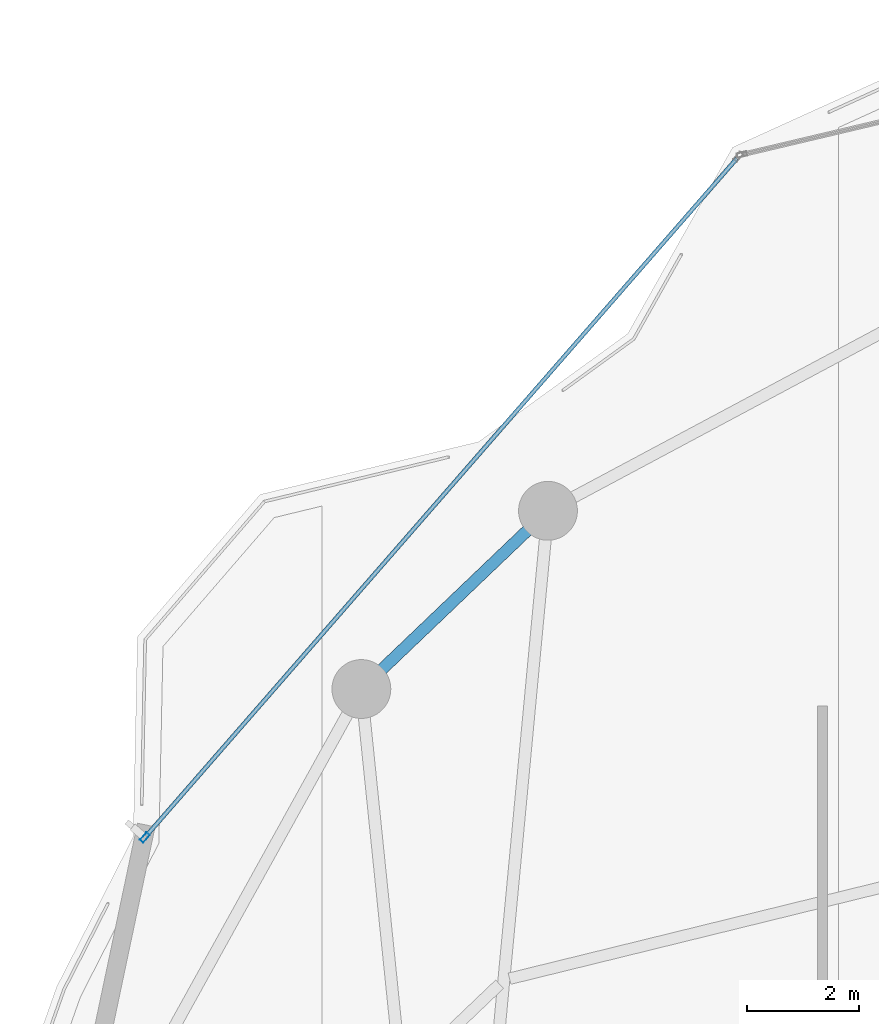
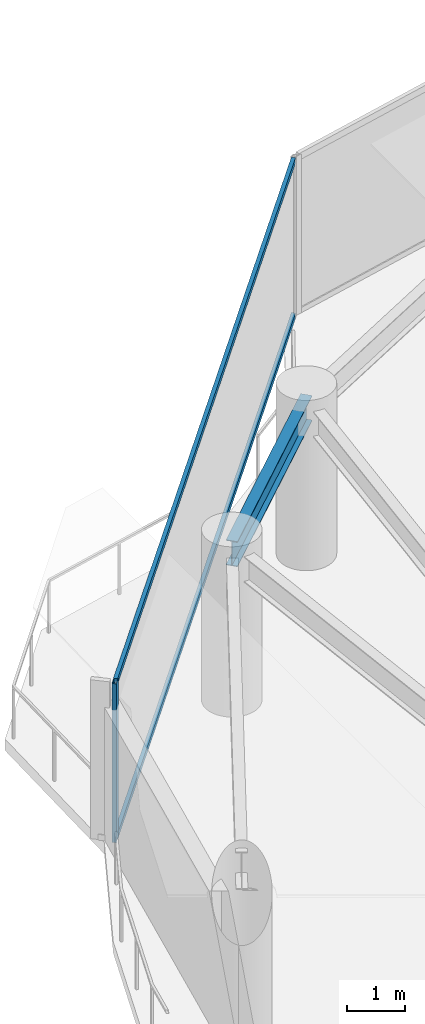
# One storey, part 16 of 28: 3 members, 1 beam, 1 element without a shape of its own.
"""IFC4 building model written with IfcOpenShell, lengths in metres."""

from ifc_helpers import new_model, si_unit, direction, frame, origin, origin_2d, place, context, subcontext, project, spatial, hollow_rectangle, i_section, extrude, material, layer, layer_set, material_profile, profile_set, type_object, element, aggregate, save


model = new_model("IFC4")

# Units and contexts
model_context = context("Model", 3, precision=1e-05, world=origin(), true_north=direction((0.0, 1.0)))
body_context = subcontext(model_context, "Body", "Model", "MODEL_VIEW")
ifc_project = project(units=[si_unit("LENGTHUNIT", "METRE"), si_unit("AREAUNIT", "SQUARE_METRE"), si_unit("VOLUMEUNIT", "CUBIC_METRE"), si_unit("PLANEANGLEUNIT", "RADIAN"), si_unit("MASSUNIT", "GRAM", prefix="KILO")], contexts=[model_context])

# Site, building, storey
site_placement = place(None, origin())
site = spatial("IfcSite", under=ifc_project, at=site_placement, CompositionType="ELEMENT")
building_placement = place(site_placement, origin())
building = spatial("IfcBuilding", under=site, at=building_placement, Name="Kazevale Care Tower and Concert Hall", CompositionType="ELEMENT")
storey_placement = place(building_placement, frame((0.0, 0.0, 228.0)))
storey = spatial("IfcBuildingStorey", under=building, at=storey_placement, Name="L60", CompositionType="ELEMENT", Elevation=228.0)

# Curtain wall, members
ifc_material_1 = material(Name="Aluminium 6063-T6 and Low-E Glass", Category="aluminium")
ifc_layer = layer(ifc_material_1, 0.179931640625)
ifc_layer_set = layer_set([ifc_layer], Name="Aluminium 6063-T6 and Low-E Glass")
curtain_wall_type = type_object("IfcCurtainWallType", Name="Convex Checkerboard Finned Curtain Wall CW-2", PredefinedType="NOTDEFINED", material=ifc_layer_set)
curtain_wall_placement = place(storey_placement, origin())
curtain_wall = element("IfcCurtainWall", 1, at=curtain_wall_placement, inside=storey, type_object=curtain_wall_type, Name="cw:L60:f14", PredefinedType="NOTDEFINED")
ifc_material_2 = material(Name="Aluminium 6063-T6", Category="aluminium")
ifc_material_profile_1 = material_profile(ifc_material_2, hollow_rectangle(XDim=0.080078125, YDim=0.179931640625, WallThickness=0.0048828125, at=origin_2d()), Name="ALU80x180x5")
ifc_profile_set_1 = profile_set([ifc_material_profile_1], Name="Aluminium 6063-T6")
member_type_1 = type_object("IfcMemberType", Name="CW-2 Mullion ALU80x180x5", PredefinedType="MULLION", material=ifc_profile_set_1)
member_1_placement = place(storey_placement, frame((16.55419921875, 49.17919921875, 0.0), z_axis=(0.0, 0.0, 1.0), x_axis=(-0.753738225685, 0.657174776708, 0.0)))
member_1 = element("IfcMember", 2, at=member_1_placement, type_object=member_type_1, Name="CW-2 mullion 1", PredefinedType="MULLION", context=body_context, shape_type="SweptSolid", body=[
    extrude(hollow_rectangle(XDim=0.080078125, YDim=0.179931640625, WallThickness=0.0048828125, at=origin_2d()), origin(), (0.0, 0.0, 1.0), 3.360107421875),
])
ifc_material_profile_2 = material_profile(ifc_material_2, hollow_rectangle(XDim=0.074951171875, YDim=0.1201171875, WallThickness=0.00390625, at=origin_2d()), Name="ALU75x120x4")
ifc_profile_set_2 = profile_set([ifc_material_profile_2], Name="Aluminium 6063-T6")
member_type_2 = type_object("IfcMemberType", Name="CW-2 Transom ALU75x120x4", PredefinedType="USERDEFINED", material=ifc_profile_set_2)
member_2_placement = place(storey_placement, frame((16.58056640625, 49.209228515625, 0.03759765625), z_axis=(0.657173569472, 0.753739278257, 0.0), x_axis=(-0.753739278257, 0.657173569472, 0.0)))
member_2 = element("IfcMember", 3, at=member_2_placement, type_object=member_type_2, Name="CW-2 transom 1.1", ObjectType="TRANSOM", PredefinedType="USERDEFINED", context=body_context, shape_type="SweptSolid", body=[
    extrude(hollow_rectangle(XDim=0.074951171875, YDim=0.1201171875, WallThickness=0.00390625, at=origin_2d()), origin(), (0.0, 0.0, 1.0), 16.03662109375),
])
member_3_placement = place(storey_placement, frame((16.58056640625, 49.209228515625, 3.322509765625), z_axis=(0.657173569472, 0.753739278257, 0.0), x_axis=(-0.753739278257, 0.657173569472, 0.0)))
member_3 = element("IfcMember", 4, at=member_3_placement, type_object=member_type_2, Name="CW-2 transom 1.2", ObjectType="TRANSOM", PredefinedType="USERDEFINED", context=body_context, shape_type="SweptSolid", body=[
    extrude(hollow_rectangle(XDim=0.074951171875, YDim=0.1201171875, WallThickness=0.00390625, at=origin_2d()), origin(), (0.0, 0.0, 1.0), 16.03662109375),
])
aggregate(curtain_wall, [member_1, member_2, member_3])

# Beam
ifc_material_3 = material(Name="Steel ASTM A572 Gr 50", Category="steel")
ifc_material_profile_3 = material_profile(ifc_material_3, i_section(OverallWidth=0.208984375, OverallDepth=0.532958984375, WebThickness=0.01025390625, FlangeThickness=0.015625, at=origin_2d()), Name="W530x92")
ifc_profile_set_3 = profile_set([ifc_material_profile_3], Name="Steel ASTM A572 Gr 50")
beam_type = type_object("IfcBeamType", Name="Upper Ring Beam W530x92", PredefinedType="BEAM", material=ifc_profile_set_3)
beam_placement = place(storey_placement, frame((23.75, 55.010009765625, 3.093505859375), z_axis=(-0.723223118589, -0.690614451585, 0.0), x_axis=(0.690614451585, -0.723223118589, 0.0)))
element("IfcBeam", 5, at=beam_placement, inside=storey, type_object=beam_type, Name="beam:L60:ring:07", PredefinedType="BEAM", context=body_context, shape_type="SweptSolid", body=[
    extrude(i_section(OverallWidth=0.208984375, OverallDepth=0.532958984375, WebThickness=0.01025390625, FlangeThickness=0.015625, at=origin_2d()), origin(), (0.0, 0.0, 1.0), 4.6044921875),
])

save(model, "model.ifc")
